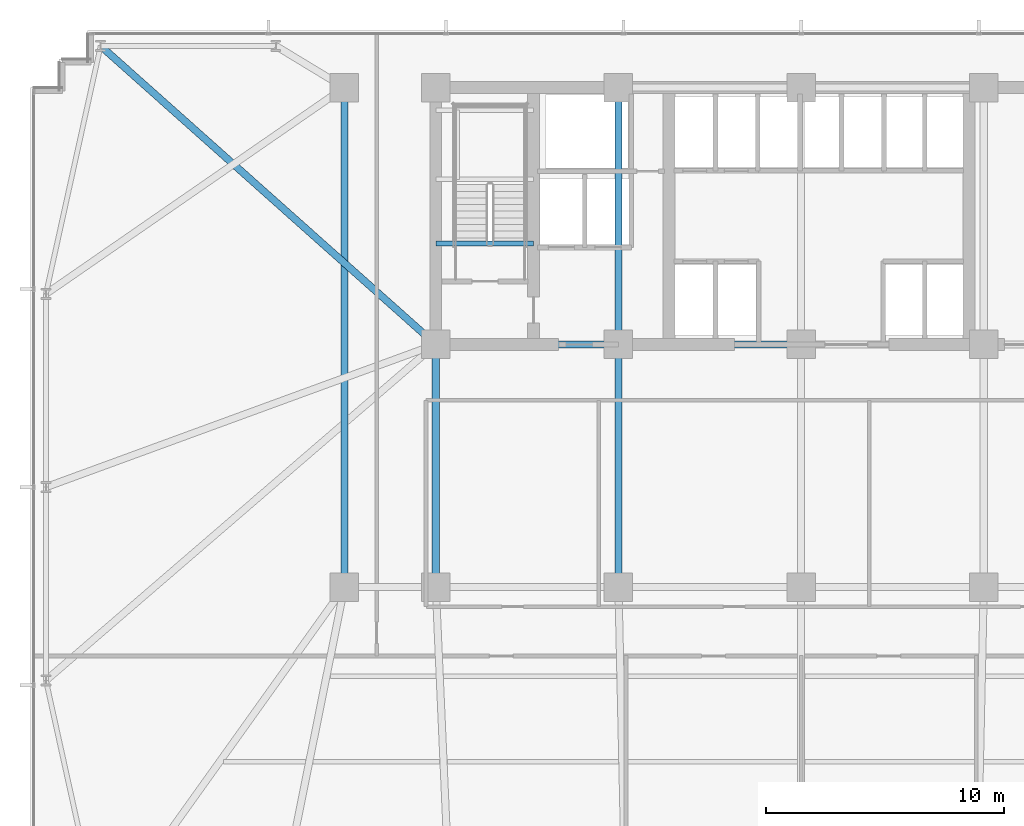
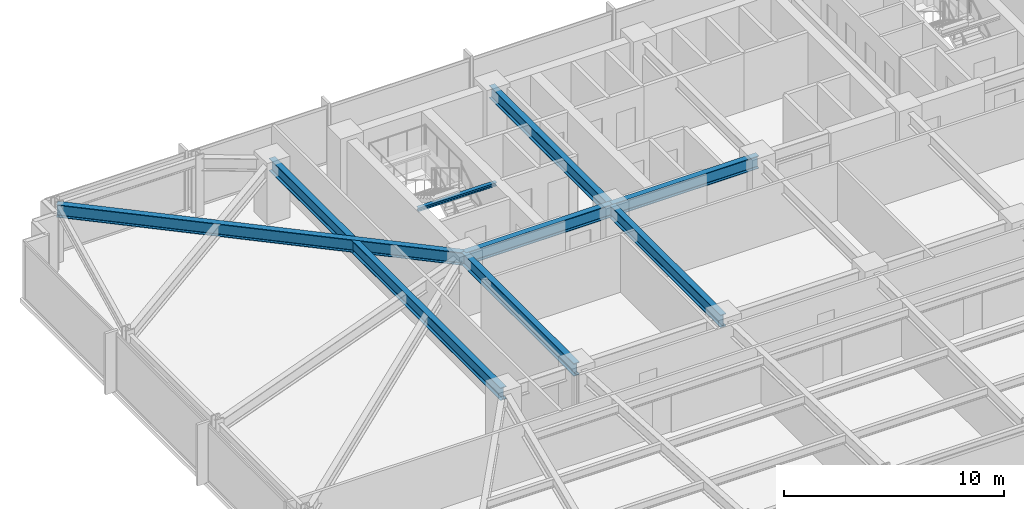
# One storey, part 10 of 32: 8 beams.
"""IFC4 building model written with IfcOpenShell, lengths in metres."""

from ifc_helpers import new_model, si_unit, direction, frame, origin, origin_2d, place, context, subcontext, project, spatial, i_section, extrude, material, material_profile, profile_set, type_object, element, save


model = new_model("IFC4")

# Units and contexts
model_context = context("Model", 3, precision=1e-05, world=origin(), true_north=direction((0.0, 1.0)))
body_context = subcontext(model_context, "Body", "Model", "MODEL_VIEW")
ifc_project = project(units=[si_unit("LENGTHUNIT", "METRE"), si_unit("AREAUNIT", "SQUARE_METRE"), si_unit("VOLUMEUNIT", "CUBIC_METRE"), si_unit("PLANEANGLEUNIT", "RADIAN"), si_unit("MASSUNIT", "GRAM", prefix="KILO")], contexts=[model_context])

# Site, building, storey
site_placement = place(None, origin())
site = spatial("IfcSite", under=ifc_project, at=site_placement, CompositionType="ELEMENT")
building_placement = place(site_placement, origin())
building = spatial("IfcBuilding", under=site, at=building_placement, Name="Yelkora Congress Tower", CompositionType="ELEMENT")
storey_placement = place(building_placement, frame((0.0, 0.0, 50.800048828125)))
storey = spatial("IfcBuildingStorey", under=building, at=storey_placement, Name="L12", CompositionType="ELEMENT", Elevation=50.800048828125)

# Beams
ifc_material = material(Name="Steel S355J2", Category="steel")
ifc_material_profile_1 = material_profile(ifc_material, i_section(OverallWidth=0.300048828125, OverallDepth=0.699951171875, WebThickness=0.01708984375, FlangeThickness=0.031982421875, FilletRadius=0.027099609375, at=origin_2d()), Name="HEB 700")
ifc_profile_set_1 = profile_set([ifc_material_profile_1], Name="Steel S355J2")
beam_type_1 = type_object("IfcBeamType", Name="BM-GIRD-HEB700", PredefinedType="BEAM", material=ifc_profile_set_1)
for number, where, z_axis, x_axis, name in (
    (1, (23.0400390625, 35.39990234375, 2.829833984375), (1.0, 0.0, 0.0), (0.0, 1.0, 0.0), "L12 Core South Girder 1"),
    (2, (30.719970703125, 35.39990234375, 2.829833984375), (1.0, 0.0, 0.0), (0.0, 1.0, 0.0), "L12 Core South Girder 2"),
):
    element("IfcBeam", number, at=place(storey_placement, frame(where, z_axis=z_axis, x_axis=x_axis)), inside=storey, type_object=beam_type_1, Name=name, PredefinedType="BEAM", context=body_context, shape_type="SweptSolid", body=[
        extrude(i_section(OverallWidth=0.300048828125, OverallDepth=0.699951171875, WebThickness=0.01708984375, FlangeThickness=0.031982421875, FilletRadius=0.027099609375, at=origin_2d()), origin(), (0.0, 0.0, 1.0), 7.679931640625),
    ])
for number, where, z_axis, x_axis, name in (
    (3, (23.0400390625, 25.199951171875, 2.829833984375), (0.0, 1.0, 0.0), (-1.0, 0.0, 0.0), "L12 Core Tie Girder MC-D1"),
    (4, (30.719970703125, 25.199951171875, 2.829833984375), (0.0, 1.0, 0.0), (-1.0, 0.0, 0.0), "L12 Core Tie Girder MC-D2"),
):
    element("IfcBeam", number, at=place(storey_placement, frame(where, z_axis=z_axis, x_axis=x_axis)), inside=storey, type_object=beam_type_1, Name=name, PredefinedType="BEAM", context=body_context, shape_type="SweptSolid", body=[
        extrude(i_section(OverallWidth=0.300048828125, OverallDepth=0.699951171875, WebThickness=0.01708984375, FlangeThickness=0.031982421875, FilletRadius=0.027099609375, at=origin_2d()), origin(), (0.0, 0.0, 1.0), 10.199951171875),
    ])
beam_1_placement = place(storey_placement, frame((30.719970703125, 35.39990234375, 2.829833984375), z_axis=(0.0, 1.0, 0.0), x_axis=(-1.0, 0.0, 0.0)))
element("IfcBeam", 5, at=beam_1_placement, inside=storey, type_object=beam_type_1, Name="L12 Core Tie Girder MC-S2", PredefinedType="BEAM", context=body_context, shape_type="SweptSolid", body=[
    extrude(i_section(OverallWidth=0.300048828125, OverallDepth=0.699951171875, WebThickness=0.01708984375, FlangeThickness=0.031982421875, FilletRadius=0.027099609375, at=origin_2d()), origin(), (0.0, 0.0, 1.0), 10.800048828125),
])
beam_2_placement = place(storey_placement, frame((19.199951171875, 25.199951171875, 2.829833984375), z_axis=(0.0, 1.0, 0.0), x_axis=(-1.0, 0.0, 0.0)))
element("IfcBeam", 6, at=beam_2_placement, inside=storey, type_object=beam_type_1, Name="L12 Neck Flank Girder MC-F1", PredefinedType="BEAM", context=body_context, shape_type="SweptSolid", body=[
    extrude(i_section(OverallWidth=0.300048828125, OverallDepth=0.699951171875, WebThickness=0.01708984375, FlangeThickness=0.031982421875, FilletRadius=0.027099609375, at=origin_2d()), origin(), (0.0, 0.0, 1.0), 21.0),
])
beam_3_placement = place(storey_placement, frame((8.949951171875, 47.949951171875, 2.829833984375), z_axis=(0.746737189621, -0.665119214605, 0.0), x_axis=(0.665119214605, 0.746737189621, 0.0)))
element("IfcBeam", 7, at=beam_3_placement, inside=storey, type_object=beam_type_1, Name="L12 Primary Frame Girder N01", PredefinedType="BEAM", context=body_context, shape_type="SweptSolid", body=[
    extrude(i_section(OverallWidth=0.300048828125, OverallDepth=0.699951171875, WebThickness=0.01708984375, FlangeThickness=0.031982421875, FilletRadius=0.027099609375, at=origin_2d()), origin(), (0.0, 0.0, 1.0), 18.868896484375),
])
ifc_material_profile_2 = material_profile(ifc_material, i_section(OverallWidth=0.199951171875, OverallDepth=0.18994140625, WebThickness=0.006591796875, FlangeThickness=0.010009765625, FilletRadius=0.01806640625, at=origin_2d()), Name="HEA 200")
ifc_profile_set_2 = profile_set([ifc_material_profile_2], Name="Steel S355J2")
beam_type_2 = type_object("IfcBeamType", Name="BM-LAND-HEA200", PredefinedType="BEAM", material=ifc_profile_set_2)
beam_4_placement = place(storey_placement, frame((23.0400390625, 39.639892578125, 2.947265625), z_axis=(1.0, 0.0, 0.0), x_axis=(0.0, 1.0, 0.0)))
element("IfcBeam", 8, at=beam_4_placement, inside=storey, type_object=beam_type_2, Name="ST-01 L12 Floor Arrival Stringer Header Beam", PredefinedType="BEAM", context=body_context, shape_type="SweptSolid", body=[
    extrude(i_section(OverallWidth=0.199951171875, OverallDepth=0.18994140625, WebThickness=0.006591796875, FlangeThickness=0.010009765625, FilletRadius=0.01806640625, at=origin_2d()), origin(), (0.0, 0.0, 1.0), 4.10986328125),
])

save(model, "model.ifc")
